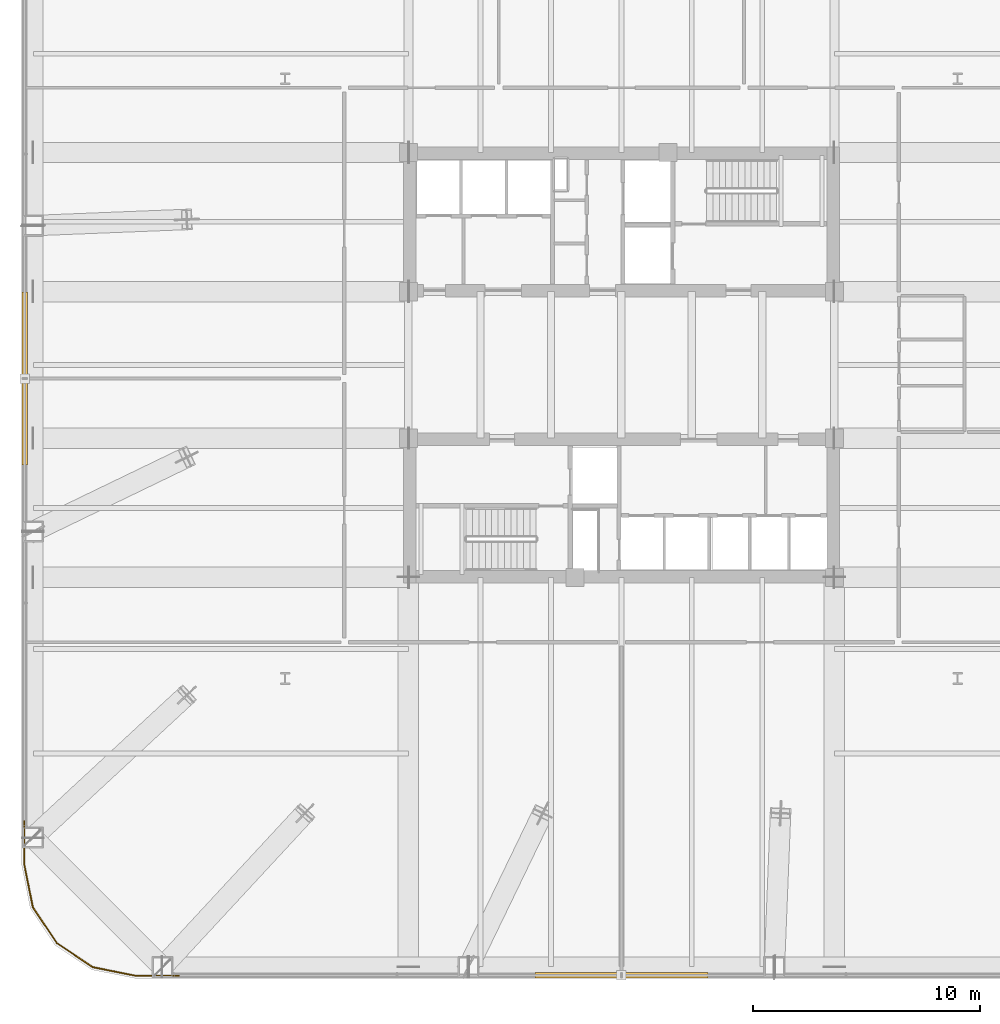
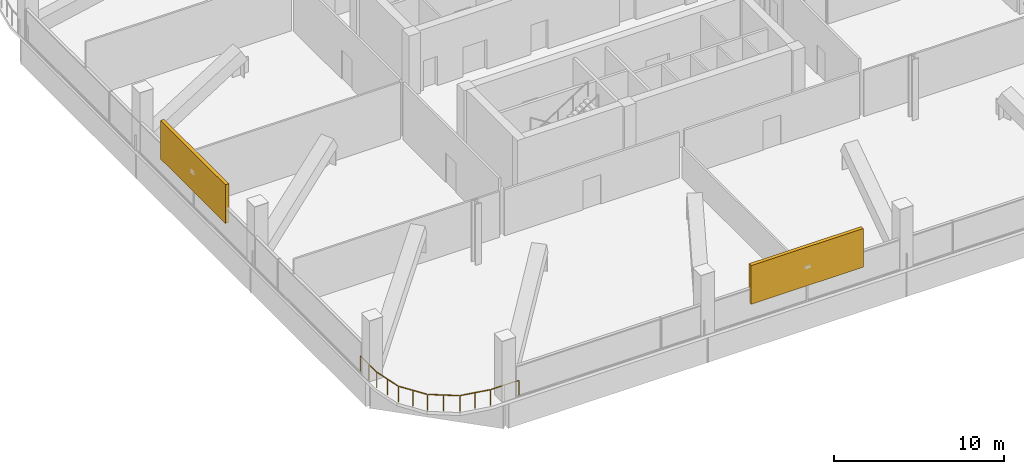
# One storey, part 33 of 38: 2 shading devices, 1 railing.
"""IFC4 building model written with IfcOpenShell, lengths in metres."""

from ifc_helpers import new_model, si_unit, direction, frame, origin, origin_2d, place, context, subcontext, project, spatial, rectangle, extrude, material, type_object, element, save


model = new_model("IFC4")

# Units and contexts
model_context = context("Model", 3, precision=1e-05, world=origin(), true_north=direction((0.0, 1.0)))
body_context = subcontext(model_context, "Body", "Model", "MODEL_VIEW")
ifc_project = project(units=[si_unit("LENGTHUNIT", "METRE"), si_unit("AREAUNIT", "SQUARE_METRE"), si_unit("VOLUMEUNIT", "CUBIC_METRE"), si_unit("PLANEANGLEUNIT", "RADIAN"), si_unit("MASSUNIT", "GRAM", prefix="KILO")], contexts=[model_context])

# Site, building, storey
site_placement = place(None, origin())
site = spatial("IfcSite", under=ifc_project, at=site_placement, CompositionType="ELEMENT")
building_placement = place(site_placement, origin())
building = spatial("IfcBuilding", under=site, at=building_placement, Name="Qhalaya Broadcast Tower", CompositionType="ELEMENT")
storey_placement = place(building_placement, frame((0.0, 0.0, 53.550048828125)))
storey = spatial("IfcBuildingStorey", under=building, at=storey_placement, Name="L15", CompositionType="ELEMENT", Elevation=53.550048828125)

# Railing
ifc_material_1 = material(Name="Powder-Coated Galvanised Steel", Category="steel")
railing_type = type_object("IfcRailingType", Name="Terrace, Sky-Pool & Lookout Glass Balustrade 1150", PredefinedType="BALUSTRADE", material=ifc_material_1)
railing_placement = place(storey_placement, frame((-19.48193359375, -26.280029296875, 0.0)))
element("IfcRailing", 1, at=railing_placement, inside=storey, type_object=railing_type, Name="L15 Rounded Corner Perimeter Guard 02", PredefinedType="BALUSTRADE", context=body_context, shape_type="SweptSolid", body=[
    extrude(rectangle(XDim=0.048095703125, YDim=0.048095703125, at=origin_2d()), frame((0.0, 0.0, 1.1259765625), z_axis=(-1.0, 0.0, 0.0), x_axis=(0.0, -1.0, 0.0)), (0.0, 0.0, 1.0), 1.87744140625),
    extrude(rectangle(XDim=0.048095703125, YDim=0.048095703125, at=origin_2d()), frame((-1.9345703125, 0.005615234375, 1.1259765625), z_axis=(-0.980795810058, 0.195037378397, 0.0), x_axis=(-0.195037378397, -0.980795810058, 0.0)), (0.0, 0.0, 1.0), 1.857421875),
    extrude(rectangle(XDim=0.048095703125, YDim=0.048095703125, at=origin_2d()), frame((-3.80859375, 0.3896484375, 1.1259765625), z_axis=(-0.831477548332, 0.555558355728, 0.0), x_axis=(-0.555558355728, -0.831477548332, 0.0)), (0.0, 0.0, 1.0), 1.845458984375),
    extrude(rectangle(XDim=0.048095703125, YDim=0.048095703125, at=origin_2d()), frame((-5.38330078125, 1.454833984375, 1.1259765625), z_axis=(-0.555558355728, 0.831477548332, 0.0), x_axis=(-0.831477548332, -0.555558355728, 0.0)), (0.0, 0.0, 1.0), 1.845458984375),
    extrude(rectangle(XDim=0.048095703125, YDim=0.048095703125, at=origin_2d()), frame((-6.43017578125, 3.041748046875, 1.1259765625), z_axis=(-0.195037378397, 0.980795810058, 0.0), x_axis=(-0.980795810058, -0.195037378397, 0.0)), (0.0, 0.0, 1.0), 1.857421875),
    extrude(rectangle(XDim=0.048095703125, YDim=0.048095703125, at=origin_2d()), frame((-6.798095703125, 4.920654296875, 1.1259765625), z_axis=(0.0, 1.0, 0.0), x_axis=(-1.0, 0.0, 0.0)), (0.0, 0.0, 1.0), 1.87744140625),
    extrude(rectangle(XDim=0.0419921875, YDim=0.0419921875, at=origin_2d()), origin(), (0.0, 0.0, 1.0), 1.099853515625),
    extrude(rectangle(XDim=0.0419921875, YDim=0.0419921875, at=origin_2d()), frame((-0.953125, 0.0, 0.0)), (0.0, 0.0, 1.0), 1.099853515625),
    extrude(rectangle(XDim=0.0419921875, YDim=0.0419921875, at=origin_2d()), frame((-1.90625, 0.0, 0.0)), (0.0, 0.0, 1.0), 1.099853515625),
    extrude(rectangle(XDim=0.0419921875, YDim=0.0419921875, at=origin_2d()), frame((-2.845458984375, 0.186767578125, 0.0)), (0.0, 0.0, 1.0), 1.099853515625),
    extrude(rectangle(XDim=0.0419921875, YDim=0.0419921875, at=origin_2d()), frame((-3.78466796875, 0.37353515625, 0.0)), (0.0, 0.0, 1.0), 1.099853515625),
    extrude(rectangle(XDim=0.0419921875, YDim=0.0419921875, at=origin_2d()), frame((-4.575927734375, 0.90234375, 0.0)), (0.0, 0.0, 1.0), 1.099853515625),
    extrude(rectangle(XDim=0.0419921875, YDim=0.0419921875, at=origin_2d()), frame((-5.3671875, 1.430908203125, 0.0)), (0.0, 0.0, 1.0), 1.099853515625),
    extrude(rectangle(XDim=0.0419921875, YDim=0.0419921875, at=origin_2d()), frame((-5.89599609375, 2.22216796875, 0.0)), (0.0, 0.0, 1.0), 1.099853515625),
    extrude(rectangle(XDim=0.0419921875, YDim=0.0419921875, at=origin_2d()), frame((-6.424560546875, 3.013427734375, 0.0)), (0.0, 0.0, 1.0), 1.099853515625),
    extrude(rectangle(XDim=0.0419921875, YDim=0.0419921875, at=origin_2d()), frame((-6.611328125, 3.95263671875, 0.0)), (0.0, 0.0, 1.0), 1.099853515625),
    extrude(rectangle(XDim=0.0419921875, YDim=0.0419921875, at=origin_2d()), frame((-6.798095703125, 4.891845703125, 0.0)), (0.0, 0.0, 1.0), 1.099853515625),
    extrude(rectangle(XDim=0.0419921875, YDim=0.0419921875, at=origin_2d()), frame((-6.798095703125, 5.844970703125, 0.0)), (0.0, 0.0, 1.0), 1.099853515625),
    extrude(rectangle(XDim=0.0419921875, YDim=0.0419921875, at=origin_2d()), frame((-6.798095703125, 6.798095703125, 0.0)), (0.0, 0.0, 1.0), 1.099853515625),
])

# Shading devices
ifc_material_2 = material(Name="Fired Architectural Terracotta", Category="masonry")
shading_device_type = type_object("IfcShadingDeviceType", Name="Terracotta Baguette Solar Screen Assembly TBS-01", PredefinedType="USERDEFINED", material=ifc_material_2)
for number, where, z_axis, x_axis, name in (
    (2, (0.0, -26.260009765625, 1.139404296875), (0.0, 0.0, 1.0), (1.0, 0.0, 0.0), "L15 Fired Terracotta Baguette Screen S"),
    (3, (-26.260009765625, 0.0, 1.139404296875), (0.0, 0.0, 1.0), (0.0, -1.0, 0.0), "L15 Fired Terracotta Baguette Screen W"),
):
    element("IfcShadingDevice", number, at=place(storey_placement, frame(where, z_axis=z_axis, x_axis=x_axis)), inside=storey, type_object=shading_device_type, Name=name, ObjectType="BAGUETTE", PredefinedType="USERDEFINED", context=body_context, shape_type="SweptSolid", body=[
        extrude(rectangle(XDim=7.60009765625, YDim=0.239990234375, at=origin_2d()), origin(), (0.0, 0.0, 1.0), 2.76806640625),
    ])

save(model, "model.ifc")
